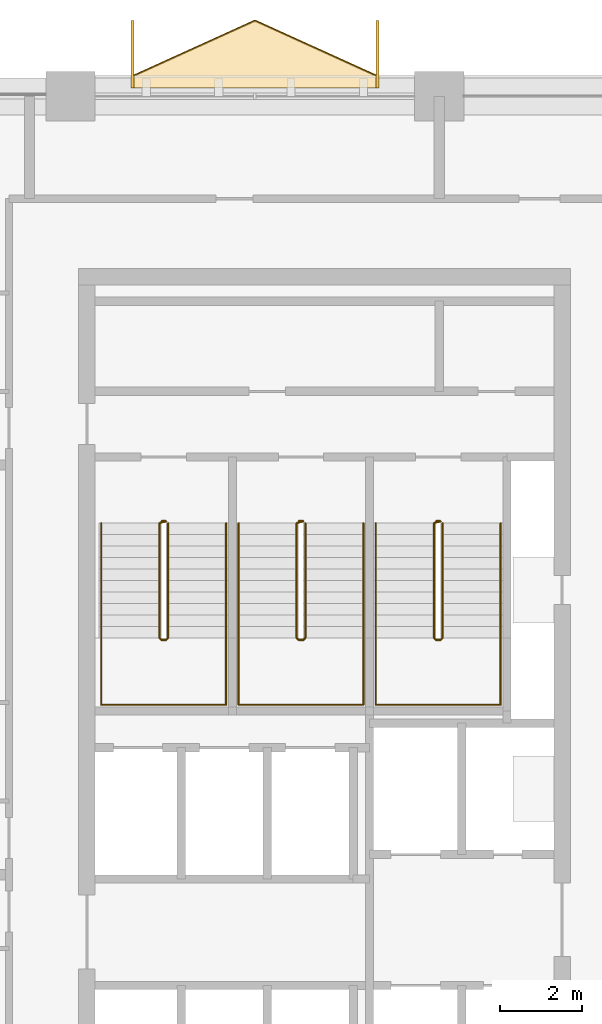
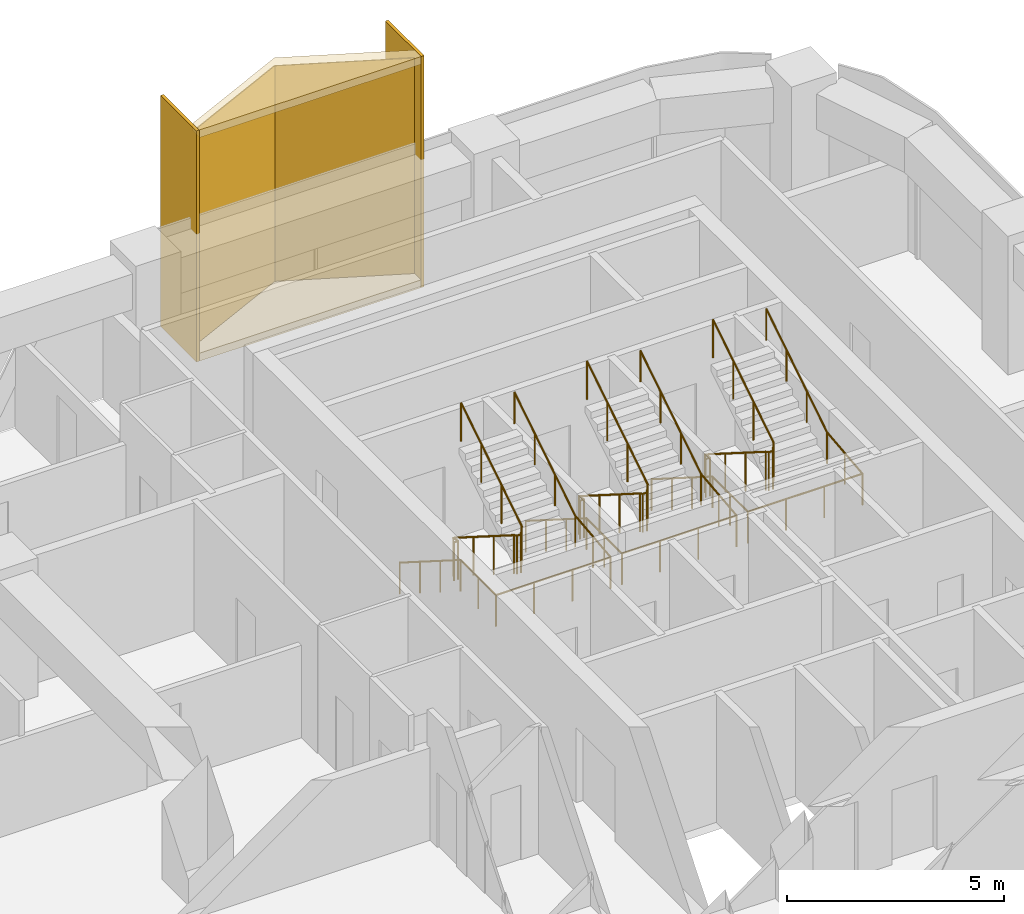
# One storey, part 10 of 10: 6 coverings, 6 railings.
"""IFC4 building model written with IfcOpenShell, lengths in metres."""

import ifcopenshell
import ifcopenshell.guid

model = None  # the IFC model being written
_history = None  # IfcOwnerHistory: only IFC2X3 demands one
_inside = {}  # id of a spatial element -> (the spatial element, [elements in it])
_under = {}  # id of a project, library or spatial element -> (it, [spatial elements below it])
_declared = {}  # id of a project -> (the project, [libraries it declares])
_typed = {}  # id of a type object -> (the type object, [elements of that type])
_made_of = {}  # id of a material, layer set ... -> (it, [elements and type objects made of it])


def new_model(schema):
    """Start an empty IFC model of exactly this schema.

    Asked for "IFC4X3", IfcOpenShell would pick the latest addendum, in which some entities
    have other attributes; the version numbers below select the first issue.
    IFC2X3 requires an IfcOwnerHistory on every rooted entity: one is made here for all.
    """
    global model, _history
    if schema == "IFC4X3":
        model = ifcopenshell.file(schema_version=(4, 3, 0, 0))
    else:
        model = ifcopenshell.file(schema=schema)
    _inside.clear()
    _under.clear()
    _declared.clear()
    _typed.clear()
    _made_of.clear()
    _history = None
    if model.schema == "IFC2X3":
        org = make("IfcOrganization", Name="unknown")
        user = make(
            "IfcPersonAndOrganization",
            ThePerson=make("IfcPerson", FamilyName="unknown"),
            TheOrganization=org,
        )
        app = make(
            "IfcApplication",
            ApplicationDeveloper=org,
            Version="unknown",
            ApplicationFullName="unknown",
            ApplicationIdentifier="unknown",
        )
        _history = make(
            "IfcOwnerHistory",
            OwningUser=user,
            OwningApplication=app,
            ChangeAction="ADDED",
            CreationDate=0,
        )
    return model


def make(cls, **values):
    """One entity of the class cls with the attributes given. An attribute that is None is left unset."""
    return model.create_entity(
        cls, **{name: value for name, value in values.items() if value is not None}
    )


def rooted(cls, **values):
    """An entity with a GlobalId (a new one), such as an element, a storey or a relation."""
    return make(cls, GlobalId=ifcopenshell.guid.new(), OwnerHistory=_history, **values)


def si_unit(unit_type, name, prefix=None):
    """IfcSIUnit, for example si_unit("LENGTHUNIT", "METRE", prefix="MILLI")."""
    return make("IfcSIUnit", UnitType=unit_type, Prefix=prefix, Name=name)


def assignment(units):
    """IfcUnitAssignment: the units of a project."""
    return None if units is None else make("IfcUnitAssignment", Units=units)


def point(xyz):
    """IfcCartesianPoint."""
    return None if xyz is None else make("IfcCartesianPoint", Coordinates=xyz)


def direction(xyz):
    """IfcDirection."""
    return None if xyz is None else make("IfcDirection", DirectionRatios=xyz)


def frame(location, z_axis=None, x_axis=None):
    """IfcAxis2Placement3D, a coordinate frame: its origin and axes. An axis left out is left unset."""
    return make(
        "IfcAxis2Placement3D",
        Location=point(location),
        Axis=direction(z_axis),
        RefDirection=direction(x_axis),
    )


def frame_2d(location, x_axis=None):
    """IfcAxis2Placement2D, a coordinate frame in the plane: its origin and x axis."""
    return make(
        "IfcAxis2Placement2D", Location=point(location), RefDirection=direction(x_axis)
    )


def origin():
    """The frame at (0, 0, 0) with its axes left unset."""
    return frame((0.0, 0.0, 0.0))


def origin_2d():
    """The frame at (0, 0) in the plane with its x axis left unset."""
    return frame_2d((0.0, 0.0))


def place(relative_to, where):
    """IfcLocalPlacement: puts the frame where relative to a parent placement (None: the world)."""
    return make(
        "IfcLocalPlacement", PlacementRelTo=relative_to, RelativePlacement=where
    )


def context(
    kind, dimensions, precision=None, world=None, true_north=None, identifier=None
):
    """IfcGeometricRepresentationContext, for example the 3D "Model" context."""
    return make(
        "IfcGeometricRepresentationContext",
        ContextIdentifier=identifier,
        ContextType=kind,
        CoordinateSpaceDimension=dimensions,
        Precision=precision,
        WorldCoordinateSystem=world,
        TrueNorth=true_north,
    )


def subcontext(parent, identifier, kind, view, scale=None):
    """IfcGeometricRepresentationSubContext, for example "Body" below "Model"."""
    return make(
        "IfcGeometricRepresentationSubContext",
        ContextIdentifier=identifier,
        ContextType=kind,
        ParentContext=parent,
        TargetScale=scale,
        TargetView=view,
    )


def project(units=None, contexts=None):
    """IfcProject with its units and contexts."""
    return rooted(
        "IfcProject",
        Name="project",
        RepresentationContexts=contexts,
        UnitsInContext=assignment(units),
    )


def spatial(cls, under=None, at=None, **own):
    """A site, building, storey or space (cls), placed at a placement, below another one or the project."""
    s = rooted(cls, ObjectPlacement=at, **own)
    if under is not None:
        _under.setdefault(under.id(), (under, []))[1].append(s)
    return s


def polyline(points):
    """IfcPolyline through the points."""
    return make("IfcPolyline", Points=[point(p) for p in points])


def profile(cls, at=None, kind="AREA", **sizes):
    """A parametric profile (cls). Its sizes go by their IFC names, for example OverallWidth=200.0."""
    return make(cls, ProfileType=kind, Position=at, **sizes)


def rectangle(**sizes):
    """IfcRectangleProfileDef."""
    return profile("IfcRectangleProfileDef", **sizes)


def circle(**sizes):
    """IfcCircleProfileDef."""
    return profile("IfcCircleProfileDef", **sizes)


def outline(outer, holes=None, kind="AREA"):
    """IfcArbitraryClosedProfileDef: a profile drawn as a closed curve; with holes, ...WithVoids."""
    if holes is None:
        return make("IfcArbitraryClosedProfileDef", ProfileType=kind, OuterCurve=outer)
    return make(
        "IfcArbitraryProfileDefWithVoids",
        ProfileType=kind,
        OuterCurve=outer,
        InnerCurves=holes,
    )


def extrude(swept, where, along, depth):
    """IfcExtrudedAreaSolid: the profile swept, set in the frame where, extruded along a direction by depth."""
    return make(
        "IfcExtrudedAreaSolid",
        SweptArea=swept,
        Position=where,
        ExtrudedDirection=direction(along),
        Depth=depth,
    )


def shape(context_of_items, identifier, shape_type, items):
    """IfcShapeRepresentation: the items that make up one representation, for example the "Body"."""
    return make(
        "IfcShapeRepresentation",
        ContextOfItems=context_of_items,
        RepresentationIdentifier=identifier,
        RepresentationType=shape_type,
        Items=items,
    )


def material(Name=None, Category=None):
    """IfcMaterial."""
    return make("IfcMaterial", Name=Name, Category=Category)


def layer(
    of_material, thickness, ventilated=None, Name=None, Category=None, Priority=None
):
    """IfcMaterialLayer: one layer of a wall or slab, of a material (None: an air gap)."""
    return make(
        "IfcMaterialLayer",
        Material=of_material,
        LayerThickness=thickness,
        IsVentilated=ventilated,
        Name=Name,
        Category=Category,
        Priority=Priority,
    )


def layer_set(layers, Name=None):
    """IfcMaterialLayerSet."""
    return make("IfcMaterialLayerSet", MaterialLayers=layers, LayerSetName=Name)


def made_of(thing, what):
    """Note that an element or type object is made of a material, layer set ...; save() writes the relation."""
    if what is not None:
        _made_of.setdefault(what.id(), (what, []))[1].append(thing)
    return thing


def type_object(cls, material=None, **own):
    """A type object (cls), such as IfcWallType, which elements share."""
    return made_of(rooted(cls, **own), material)


def element(
    cls,
    number,
    at=None,
    inside=None,
    cuts=None,
    type_object=None,
    material=None,
    context=None,
    identifier="Body",
    shape_type=None,
    held_by="IfcProductDefinitionShape",
    body=None,
    shapes=None,
    **own,
):
    """One element of the class cls, such as IfcWall. Its Tag is "e" and its number.

    at: its placement. inside: the storey or other place that contains it. cuts: it is an
    opening in that element (IfcRelVoidsElement). A single representation is given by context,
    identifier, shape_type and body (its items); several are given by shapes. held_by: the class
    of the entity that holds the representations. save() writes the other relations.
    """
    e = rooted(cls, Tag="e%d" % number, ObjectPlacement=at, **own)
    if body is not None:
        shapes = [shape(context, identifier, shape_type, body)]
    if shapes is not None:
        e.Representation = make(held_by, Representations=shapes)
    if inside is not None:
        _inside.setdefault(inside.id(), (inside, []))[1].append(e)
    if cuts is not None:
        rooted(
            "IfcRelVoidsElement", RelatingBuildingElement=cuts, RelatedOpeningElement=e
        )
    if type_object is not None:
        _typed.setdefault(type_object.id(), (type_object, []))[1].append(e)
    return made_of(e, material)


def aggregate(whole, parts):
    """IfcRelAggregates: a whole, such as a stair, and the parts it consists of."""
    return rooted("IfcRelAggregates", RelatingObject=whole, RelatedObjects=parts)


def save(model, path):
    """Write the relations noted so far, then the file.

    IfcRelAggregates (storeys below a building ...), IfcRelContainedInSpatialStructure (elements
    in a storey), IfcRelDefinesByType, IfcRelAssociatesMaterial and IfcRelDeclares: one each for
    every whole, place, type object, material and project.
    """
    for whole, parts in _under.values():
        aggregate(whole, parts)
    for where, things in _inside.values():
        rooted(
            "IfcRelContainedInSpatialStructure",
            RelatedElements=things,
            RelatingStructure=where,
        )
    for kind, things in _typed.values():
        rooted("IfcRelDefinesByType", RelatedObjects=things, RelatingType=kind)
    for what, things in _made_of.values():
        rooted("IfcRelAssociatesMaterial", RelatedObjects=things, RelatingMaterial=what)
    for by, libraries in _declared.values():
        rooted("IfcRelDeclares", RelatingContext=by, RelatedDefinitions=libraries)
    model.write(path)


model = new_model("IFC4")

# Units and contexts
model_context = context("Model", 3, precision=1e-05, world=origin(), true_north=direction((0.0, 1.0)))
body_context = subcontext(model_context, "Body", "Model", "MODEL_VIEW")
ifc_project = project(units=[si_unit("LENGTHUNIT", "METRE"), si_unit("AREAUNIT", "SQUARE_METRE"), si_unit("VOLUMEUNIT", "CUBIC_METRE"), si_unit("PLANEANGLEUNIT", "RADIAN"), si_unit("MASSUNIT", "GRAM", prefix="KILO")], contexts=[model_context])

# Site, building, storey
site_placement = place(None, origin())
site = spatial("IfcSite", under=ifc_project, at=site_placement, CompositionType="ELEMENT")
building_placement = place(site_placement, origin())
building = spatial("IfcBuilding", under=site, at=building_placement, Name="Tessera Arch", CompositionType="ELEMENT")
storey_placement = place(building_placement, frame((0.0, 0.0, 242.300048828125)))
storey = spatial("IfcBuildingStorey", under=building, at=storey_placement, Name="L58", CompositionType="ELEMENT", Elevation=242.300048828125)

# Railings
ifc_material_1 = material(Name="Painted steel balustrade", Category="steel")
railing_type_1 = type_object("IfcRailingType", Name="Stair guard 1100", PredefinedType="GUARDRAIL", material=ifc_material_1)
railing_1_placement = place(storey_placement, frame((38.219970703125, 43.6298828125, 0.0)))
element("IfcRailing", 1, at=railing_1_placement, inside=storey, type_object=railing_type_1, Name="L58 S1a stair guard 1", PredefinedType="GUARDRAIL", context=body_context, shape_type="SweptSolid", body=[
    extrude(circle(Radius=0.02392578125, at=origin_2d()), frame((-0.00390625, 0.0, 1.076171875), z_axis=(1.0, 0.0, 0.0), x_axis=(0.0, 1.0, 0.0)), (0.0, 0.0, 1.0), 0.1181640625),
    extrude(circle(Radius=0.02392578125, at=origin_2d()), frame((0.11279296875, 0.000732421875, 1.0732421875), z_axis=(-0.656319048605, -0.204099216335, 0.726353093426), x_axis=(0.296948579431, -0.954893471113, 0.0)), (0.0, 0.0, 1.0), 0.251953125),
    extrude(circle(Radius=0.02392578125, at=origin_2d()), frame((-0.050048828125, -0.04638671875, 1.251220703125), z_axis=(0.0, -0.844908973607, 0.534910110503), x_axis=(1.0, 0.0, 0.0)), (0.0, 0.0, 1.0), 3.322021484375),
    extrude(circle(Radius=0.02392578125, at=origin_2d()), frame((-0.052978515625, -2.846923828125, 3.02587890625), z_axis=(0.707106781187, -0.707106781187, 0.0), x_axis=(0.707106781187, 0.707106781187, 0.0)), (0.0, 0.0, 1.0), 0.078857421875),
    extrude(circle(Radius=0.02392578125, at=origin_2d()), frame((-0.00390625, -2.89990234375, 3.02587890625), z_axis=(1.0, 0.0, 0.0), x_axis=(0.0, 1.0, 0.0)), (0.0, 0.0, 1.0), 0.1181640625),
    extrude(circle(Radius=0.02392578125, at=origin_2d()), frame((0.109130859375, -2.90087890625, 3.022216796875), z_axis=(0.261041864531, 0.262321481514, 0.929001929653), x_axis=(-0.708833529934, 0.705375805398, 0.0)), (0.0, 0.0, 1.0), 0.19873046875),
    extrude(circle(Radius=0.02392578125, at=origin_2d()), frame((0.159912109375, -2.853271484375, 3.201171875), z_axis=(0.0, 0.844908973607, 0.534910110503), x_axis=(-1.0, 0.0, 0.0)), (0.0, 0.0, 1.0), 3.322021484375),
    extrude(circle(Radius=0.02099609375, at=origin_2d()), origin(), (0.0, 0.0, 1.0), 1.06396484375),
    extrude(circle(Radius=0.02099609375, at=origin_2d()), frame((0.110107421875, 0.0, 0.0)), (0.0, 0.0, 1.0), 1.06396484375),
    extrude(circle(Radius=0.02099609375, at=origin_2d()), frame((-0.050048828125, -0.0498046875, 0.17724609375)), (0.0, 0.0, 1.0), 1.06396484375),
    extrude(circle(Radius=0.02099609375, at=origin_2d()), frame((-0.050048828125, -0.983154296875, 0.76806640625)), (0.0, 0.0, 1.0), 1.06396484375),
    extrude(circle(Radius=0.02099609375, at=origin_2d()), frame((-0.050048828125, -1.91650390625, 1.359130859375)), (0.0, 0.0, 1.0), 1.06396484375),
    extrude(circle(Radius=0.02099609375, at=origin_2d()), frame((-0.050048828125, -2.849853515625, 1.949951171875)), (0.0, 0.0, 1.0), 1.06396484375),
    extrude(circle(Radius=0.02099609375, at=origin_2d()), frame((0.0, -2.89990234375, 1.949951171875)), (0.0, 0.0, 1.0), 1.06396484375),
    extrude(circle(Radius=0.02099609375, at=origin_2d()), frame((0.110107421875, -2.89990234375, 1.949951171875)), (0.0, 0.0, 1.0), 1.06396484375),
    extrude(circle(Radius=0.02099609375, at=origin_2d()), frame((0.159912109375, -2.849853515625, 2.127197265625)), (0.0, 0.0, 1.0), 1.06396484375),
    extrude(circle(Radius=0.02099609375, at=origin_2d()), frame((0.159912109375, -1.91650390625, 2.718017578125)), (0.0, 0.0, 1.0), 1.06396484375),
    extrude(circle(Radius=0.02099609375, at=origin_2d()), frame((0.159912109375, -0.983154296875, 3.30908203125)), (0.0, 0.0, 1.0), 1.06396484375),
    extrude(circle(Radius=0.02099609375, at=origin_2d()), frame((0.159912109375, -0.0498046875, 3.89990234375)), (0.0, 0.0, 1.0), 1.06396484375),
])
railing_2_placement = place(storey_placement, frame((41.570068359375, 43.6298828125, 0.0)))
element("IfcRailing", 2, at=railing_2_placement, inside=storey, type_object=railing_type_1, Name="L58 S1b stair guard 1", PredefinedType="GUARDRAIL", context=body_context, shape_type="SweptSolid", body=[
    extrude(circle(Radius=0.02392578125, at=origin_2d()), frame((-0.00390625, 0.0, 1.076171875), z_axis=(1.0, 0.0, 0.0), x_axis=(0.0, 1.0, 0.0)), (0.0, 0.0, 1.0), 0.117919921875),
    extrude(circle(Radius=0.02392578125, at=origin_2d()), frame((0.112548828125, 0.000732421875, 1.0732421875), z_axis=(-0.65574896516, -0.204233265485, 0.726830150696), x_axis=(0.297361876254, -0.954764847777, 0.0)), (0.0, 0.0, 1.0), 0.251953125),
    extrude(circle(Radius=0.02392578125, at=origin_2d()), frame((-0.050048828125, -0.04638671875, 1.251220703125), z_axis=(0.0, -0.844908973607, 0.534910110503), x_axis=(1.0, 0.0, 0.0)), (0.0, 0.0, 1.0), 3.322021484375),
    extrude(circle(Radius=0.02392578125, at=origin_2d()), frame((-0.052978515625, -2.846923828125, 3.02587890625), z_axis=(0.707106781187, -0.707106781187, 0.0), x_axis=(0.707106781187, 0.707106781187, 0.0)), (0.0, 0.0, 1.0), 0.078857421875),
    extrude(circle(Radius=0.02392578125, at=origin_2d()), frame((-0.00390625, -2.89990234375, 3.02587890625), z_axis=(1.0, 0.0, 0.0), x_axis=(0.0, 1.0, 0.0)), (0.0, 0.0, 1.0), 0.117919921875),
    extrude(circle(Radius=0.02392578125, at=origin_2d()), frame((0.10888671875, -2.90087890625, 3.022216796875), z_axis=(0.262233686654, 0.262233686654, 0.928691007369), x_axis=(-0.707106781187, 0.707106781187, 0.0)), (0.0, 0.0, 1.0), 0.198974609375),
    extrude(circle(Radius=0.02392578125, at=origin_2d()), frame((0.159912109375, -2.853271484375, 3.201171875), z_axis=(0.0, 0.844908973607, 0.534910110503), x_axis=(-1.0, 0.0, 0.0)), (0.0, 0.0, 1.0), 3.322021484375),
    extrude(circle(Radius=0.02099609375, at=origin_2d()), origin(), (0.0, 0.0, 1.0), 1.06396484375),
    extrude(circle(Radius=0.02099609375, at=origin_2d()), frame((0.10986328125, 0.0, 0.0)), (0.0, 0.0, 1.0), 1.06396484375),
    extrude(circle(Radius=0.02099609375, at=origin_2d()), frame((-0.050048828125, -0.0498046875, 0.17724609375)), (0.0, 0.0, 1.0), 1.06396484375),
    extrude(circle(Radius=0.02099609375, at=origin_2d()), frame((-0.050048828125, -0.983154296875, 0.76806640625)), (0.0, 0.0, 1.0), 1.06396484375),
    extrude(circle(Radius=0.02099609375, at=origin_2d()), frame((-0.050048828125, -1.91650390625, 1.359130859375)), (0.0, 0.0, 1.0), 1.06396484375),
    extrude(circle(Radius=0.02099609375, at=origin_2d()), frame((-0.050048828125, -2.849853515625, 1.949951171875)), (0.0, 0.0, 1.0), 1.06396484375),
    extrude(circle(Radius=0.02099609375, at=origin_2d()), frame((0.0, -2.89990234375, 1.949951171875)), (0.0, 0.0, 1.0), 1.06396484375),
    extrude(circle(Radius=0.02099609375, at=origin_2d()), frame((0.10986328125, -2.89990234375, 1.949951171875)), (0.0, 0.0, 1.0), 1.06396484375),
    extrude(circle(Radius=0.02099609375, at=origin_2d()), frame((0.159912109375, -2.849853515625, 2.127197265625)), (0.0, 0.0, 1.0), 1.06396484375),
    extrude(circle(Radius=0.02099609375, at=origin_2d()), frame((0.159912109375, -1.91650390625, 2.718017578125)), (0.0, 0.0, 1.0), 1.06396484375),
    extrude(circle(Radius=0.02099609375, at=origin_2d()), frame((0.159912109375, -0.983154296875, 3.30908203125)), (0.0, 0.0, 1.0), 1.06396484375),
    extrude(circle(Radius=0.02099609375, at=origin_2d()), frame((0.159912109375, -0.0498046875, 3.89990234375)), (0.0, 0.0, 1.0), 1.06396484375),
])
railing_3_placement = place(storey_placement, frame((44.919921875, 43.6298828125, 0.0)))
element("IfcRailing", 3, at=railing_3_placement, inside=storey, type_object=railing_type_1, Name="L58 S1c stair guard 1", PredefinedType="GUARDRAIL", context=body_context, shape_type="SweptSolid", body=[
    extrude(circle(Radius=0.02392578125, at=origin_2d()), frame((-0.00390625, 0.0, 1.076171875), z_axis=(1.0, 0.0, 0.0), x_axis=(0.0, 1.0, 0.0)), (0.0, 0.0, 1.0), 0.1181640625),
    extrude(circle(Radius=0.02392578125, at=origin_2d()), frame((0.11279296875, 0.000732421875, 1.0732421875), z_axis=(-0.65574896516, -0.204233265485, 0.726830150696), x_axis=(0.297361876254, -0.954764847777, 0.0)), (0.0, 0.0, 1.0), 0.251953125),
    extrude(circle(Radius=0.02392578125, at=origin_2d()), frame((-0.0498046875, -0.04638671875, 1.251220703125), z_axis=(0.0, -0.844908973607, 0.534910110503), x_axis=(1.0, 0.0, 0.0)), (0.0, 0.0, 1.0), 3.322021484375),
    extrude(circle(Radius=0.02392578125, at=origin_2d()), frame((-0.052734375, -2.846923828125, 3.02587890625), z_axis=(0.705375805398, -0.708833529934, 0.0), x_axis=(0.708833529934, 0.705375805398, 0.0)), (0.0, 0.0, 1.0), 0.07861328125),
    extrude(circle(Radius=0.02392578125, at=origin_2d()), frame((-0.00390625, -2.89990234375, 3.02587890625), z_axis=(1.0, 0.0, 0.0), x_axis=(0.0, 1.0, 0.0)), (0.0, 0.0, 1.0), 0.1181640625),
    extrude(circle(Radius=0.02392578125, at=origin_2d()), frame((0.109130859375, -2.90087890625, 3.022216796875), z_axis=(0.262233686654, 0.262233686654, 0.928691007369), x_axis=(-0.707106781187, 0.707106781187, 0.0)), (0.0, 0.0, 1.0), 0.198974609375),
    extrude(circle(Radius=0.02392578125, at=origin_2d()), frame((0.16015625, -2.853271484375, 3.201171875), z_axis=(0.0, 0.844908973607, 0.534910110503), x_axis=(-1.0, 0.0, 0.0)), (0.0, 0.0, 1.0), 3.322021484375),
    extrude(circle(Radius=0.02099609375, at=origin_2d()), origin(), (0.0, 0.0, 1.0), 1.06396484375),
    extrude(circle(Radius=0.02099609375, at=origin_2d()), frame((0.110107421875, 0.0, 0.0)), (0.0, 0.0, 1.0), 1.06396484375),
    extrude(circle(Radius=0.02099609375, at=origin_2d()), frame((-0.0498046875, -0.0498046875, 0.17724609375)), (0.0, 0.0, 1.0), 1.06396484375),
    extrude(circle(Radius=0.02099609375, at=origin_2d()), frame((-0.0498046875, -0.983154296875, 0.76806640625)), (0.0, 0.0, 1.0), 1.06396484375),
    extrude(circle(Radius=0.02099609375, at=origin_2d()), frame((-0.0498046875, -1.91650390625, 1.359130859375)), (0.0, 0.0, 1.0), 1.06396484375),
    extrude(circle(Radius=0.02099609375, at=origin_2d()), frame((-0.0498046875, -2.849853515625, 1.949951171875)), (0.0, 0.0, 1.0), 1.06396484375),
    extrude(circle(Radius=0.02099609375, at=origin_2d()), frame((0.0, -2.89990234375, 1.949951171875)), (0.0, 0.0, 1.0), 1.06396484375),
    extrude(circle(Radius=0.02099609375, at=origin_2d()), frame((0.110107421875, -2.89990234375, 1.949951171875)), (0.0, 0.0, 1.0), 1.06396484375),
    extrude(circle(Radius=0.02099609375, at=origin_2d()), frame((0.16015625, -2.849853515625, 2.127197265625)), (0.0, 0.0, 1.0), 1.06396484375),
    extrude(circle(Radius=0.02099609375, at=origin_2d()), frame((0.16015625, -1.91650390625, 2.718017578125)), (0.0, 0.0, 1.0), 1.06396484375),
    extrude(circle(Radius=0.02099609375, at=origin_2d()), frame((0.16015625, -0.983154296875, 3.30908203125)), (0.0, 0.0, 1.0), 1.06396484375),
    extrude(circle(Radius=0.02099609375, at=origin_2d()), frame((0.16015625, -0.0498046875, 3.89990234375)), (0.0, 0.0, 1.0), 1.06396484375),
])
ifc_material_2 = material(Name="Painted steel handrail", Category="steel")
railing_type_2 = type_object("IfcRailingType", Name="Stair handrail 900", PredefinedType="HANDRAIL", material=ifc_material_2)
railing_4_placement = place(storey_placement, frame((36.75, 43.580078125, 0.17724609375)))
element("IfcRailing", 4, at=railing_4_placement, inside=storey, type_object=railing_type_2, Name="L58 S1a stair handrail", PredefinedType="HANDRAIL", context=body_context, shape_type="SweptSolid", body=[
    extrude(circle(Radius=0.02392578125, at=origin_2d()), frame((0.0, 0.00341796875, 0.873779296875), z_axis=(0.0, -0.844908973607, 0.534910110503), x_axis=(1.0, 0.0, 0.0)), (0.0, 0.0, 1.0), 3.322021484375),
    extrude(circle(Radius=0.02392578125, at=origin_2d()), frame((0.0, -2.796142578125, 2.6484375), z_axis=(0.0, -1.0, 0.0), x_axis=(1.0, 0.0, 0.0)), (0.0, 0.0, 1.0), 1.63818359375),
    extrude(circle(Radius=0.02392578125, at=origin_2d()), frame((-0.00390625, -4.43017578125, 2.6484375), z_axis=(1.0, 0.0, 0.0), x_axis=(0.0, 1.0, 0.0)), (0.0, 0.0, 1.0), 3.05810546875),
    extrude(circle(Radius=0.02392578125, at=origin_2d()), frame((3.050048828125, -4.43408203125, 2.648193359375), z_axis=(0.0, 0.994140637614, 0.108094369164), x_axis=(-1.0, 0.0, 0.0)), (0.0, 0.0, 1.0), 1.647705078125),
    extrude(circle(Radius=0.02392578125, at=origin_2d()), frame((3.050048828125, -2.803466796875, 2.82373046875), z_axis=(0.0, 0.844908973607, 0.534910110503), x_axis=(-1.0, 0.0, 0.0)), (0.0, 0.0, 1.0), 3.322021484375),
    extrude(circle(Radius=0.02099609375, at=origin_2d()), origin(), (0.0, 0.0, 1.0), 0.86376953125),
    extrude(circle(Radius=0.02099609375, at=origin_2d()), frame((0.0, -0.933349609375, 0.5908203125)), (0.0, 0.0, 1.0), 0.86376953125),
    extrude(circle(Radius=0.02099609375, at=origin_2d()), frame((0.0, -1.86669921875, 1.181884765625)), (0.0, 0.0, 1.0), 0.86376953125),
    extrude(circle(Radius=0.02099609375, at=origin_2d()), frame((0.0, -2.800048828125, 1.772705078125)), (0.0, 0.0, 1.0), 0.86376953125),
    extrude(circle(Radius=0.02099609375, at=origin_2d()), frame((0.0, -3.615234375, 1.772705078125)), (0.0, 0.0, 1.0), 0.86376953125),
    extrude(circle(Radius=0.02099609375, at=origin_2d()), frame((0.0, -4.43017578125, 1.772705078125)), (0.0, 0.0, 1.0), 0.86376953125),
    extrude(circle(Radius=0.02099609375, at=origin_2d()), frame((1.0166015625, -4.43017578125, 1.772705078125)), (0.0, 0.0, 1.0), 0.86376953125),
    extrude(circle(Radius=0.02099609375, at=origin_2d()), frame((2.033447265625, -4.43017578125, 1.772705078125)), (0.0, 0.0, 1.0), 0.86376953125),
    extrude(circle(Radius=0.02099609375, at=origin_2d()), frame((3.050048828125, -4.43017578125, 1.772705078125)), (0.0, 0.0, 1.0), 0.86376953125),
    extrude(circle(Radius=0.02099609375, at=origin_2d()), frame((3.050048828125, -3.615234375, 1.861328125)), (0.0, 0.0, 1.0), 0.86376953125),
    extrude(circle(Radius=0.02099609375, at=origin_2d()), frame((3.050048828125, -2.800048828125, 1.949951171875)), (0.0, 0.0, 1.0), 0.86376953125),
    extrude(circle(Radius=0.02099609375, at=origin_2d()), frame((3.050048828125, -1.86669921875, 2.540771484375)), (0.0, 0.0, 1.0), 0.86376953125),
    extrude(circle(Radius=0.02099609375, at=origin_2d()), frame((3.050048828125, -0.933349609375, 3.1318359375)), (0.0, 0.0, 1.0), 0.86376953125),
    extrude(circle(Radius=0.02099609375, at=origin_2d()), frame((3.050048828125, 0.0, 3.72265625)), (0.0, 0.0, 1.0), 0.86376953125),
])
railing_5_placement = place(storey_placement, frame((40.10009765625, 43.580078125, 0.17724609375)))
element("IfcRailing", 5, at=railing_5_placement, inside=storey, type_object=railing_type_2, Name="L58 S1b stair handrail", PredefinedType="HANDRAIL", context=body_context, shape_type="SweptSolid", body=[
    extrude(circle(Radius=0.02392578125, at=origin_2d()), frame((0.0, 0.00341796875, 0.873779296875), z_axis=(0.0, -0.844908973607, 0.534910110503), x_axis=(1.0, 0.0, 0.0)), (0.0, 0.0, 1.0), 3.322021484375),
    extrude(circle(Radius=0.02392578125, at=origin_2d()), frame((0.0, -2.796142578125, 2.6484375), z_axis=(0.0, -1.0, 0.0), x_axis=(1.0, 0.0, 0.0)), (0.0, 0.0, 1.0), 1.63818359375),
    extrude(circle(Radius=0.02392578125, at=origin_2d()), frame((-0.00390625, -4.43017578125, 2.6484375), z_axis=(1.0, 0.0, 0.0), x_axis=(0.0, 1.0, 0.0)), (0.0, 0.0, 1.0), 3.057861328125),
    extrude(circle(Radius=0.02392578125, at=origin_2d()), frame((3.0498046875, -4.43408203125, 2.648193359375), z_axis=(0.0, 0.994140637614, 0.108094369164), x_axis=(-1.0, 0.0, 0.0)), (0.0, 0.0, 1.0), 1.647705078125),
    extrude(circle(Radius=0.02392578125, at=origin_2d()), frame((3.0498046875, -2.803466796875, 2.82373046875), z_axis=(0.0, 0.844908973607, 0.534910110503), x_axis=(-1.0, 0.0, 0.0)), (0.0, 0.0, 1.0), 3.322021484375),
    extrude(circle(Radius=0.02099609375, at=origin_2d()), origin(), (0.0, 0.0, 1.0), 0.86376953125),
    extrude(circle(Radius=0.02099609375, at=origin_2d()), frame((0.0, -0.933349609375, 0.5908203125)), (0.0, 0.0, 1.0), 0.86376953125),
    extrude(circle(Radius=0.02099609375, at=origin_2d()), frame((0.0, -1.86669921875, 1.181884765625)), (0.0, 0.0, 1.0), 0.86376953125),
    extrude(circle(Radius=0.02099609375, at=origin_2d()), frame((0.0, -2.800048828125, 1.772705078125)), (0.0, 0.0, 1.0), 0.86376953125),
    extrude(circle(Radius=0.02099609375, at=origin_2d()), frame((0.0, -3.615234375, 1.772705078125)), (0.0, 0.0, 1.0), 0.86376953125),
    extrude(circle(Radius=0.02099609375, at=origin_2d()), frame((0.0, -4.43017578125, 1.772705078125)), (0.0, 0.0, 1.0), 0.86376953125),
    extrude(circle(Radius=0.02099609375, at=origin_2d()), frame((1.0166015625, -4.43017578125, 1.772705078125)), (0.0, 0.0, 1.0), 0.86376953125),
    extrude(circle(Radius=0.02099609375, at=origin_2d()), frame((2.033203125, -4.43017578125, 1.772705078125)), (0.0, 0.0, 1.0), 0.86376953125),
    extrude(circle(Radius=0.02099609375, at=origin_2d()), frame((3.0498046875, -4.43017578125, 1.772705078125)), (0.0, 0.0, 1.0), 0.86376953125),
    extrude(circle(Radius=0.02099609375, at=origin_2d()), frame((3.0498046875, -3.615234375, 1.861328125)), (0.0, 0.0, 1.0), 0.86376953125),
    extrude(circle(Radius=0.02099609375, at=origin_2d()), frame((3.0498046875, -2.800048828125, 1.949951171875)), (0.0, 0.0, 1.0), 0.86376953125),
    extrude(circle(Radius=0.02099609375, at=origin_2d()), frame((3.0498046875, -1.86669921875, 2.540771484375)), (0.0, 0.0, 1.0), 0.86376953125),
    extrude(circle(Radius=0.02099609375, at=origin_2d()), frame((3.0498046875, -0.933349609375, 3.1318359375)), (0.0, 0.0, 1.0), 0.86376953125),
    extrude(circle(Radius=0.02099609375, at=origin_2d()), frame((3.0498046875, 0.0, 3.72265625)), (0.0, 0.0, 1.0), 0.86376953125),
])
railing_6_placement = place(storey_placement, frame((43.449951171875, 43.580078125, 0.17724609375)))
element("IfcRailing", 6, at=railing_6_placement, inside=storey, type_object=railing_type_2, Name="L58 S1c stair handrail", PredefinedType="HANDRAIL", context=body_context, shape_type="SweptSolid", body=[
    extrude(circle(Radius=0.02392578125, at=origin_2d()), frame((0.0, 0.00341796875, 0.873779296875), z_axis=(0.0, -0.844908973607, 0.534910110503), x_axis=(1.0, 0.0, 0.0)), (0.0, 0.0, 1.0), 3.322021484375),
    extrude(circle(Radius=0.02392578125, at=origin_2d()), frame((0.0, -2.796142578125, 2.6484375), z_axis=(0.0, -1.0, 0.0), x_axis=(1.0, 0.0, 0.0)), (0.0, 0.0, 1.0), 1.63818359375),
    extrude(circle(Radius=0.02392578125, at=origin_2d()), frame((-0.00390625, -4.43017578125, 2.6484375), z_axis=(1.0, 0.0, 0.0), x_axis=(0.0, 1.0, 0.0)), (0.0, 0.0, 1.0), 3.05810546875),
    extrude(circle(Radius=0.02392578125, at=origin_2d()), frame((3.050048828125, -4.43408203125, 2.648193359375), z_axis=(0.0, 0.994140637614, 0.108094369164), x_axis=(-1.0, 0.0, 0.0)), (0.0, 0.0, 1.0), 1.647705078125),
    extrude(circle(Radius=0.02392578125, at=origin_2d()), frame((3.050048828125, -2.803466796875, 2.82373046875), z_axis=(0.0, 0.844908973607, 0.534910110503), x_axis=(-1.0, 0.0, 0.0)), (0.0, 0.0, 1.0), 3.322021484375),
    extrude(circle(Radius=0.02099609375, at=origin_2d()), origin(), (0.0, 0.0, 1.0), 0.86376953125),
    extrude(circle(Radius=0.02099609375, at=origin_2d()), frame((0.0, -0.933349609375, 0.5908203125)), (0.0, 0.0, 1.0), 0.86376953125),
    extrude(circle(Radius=0.02099609375, at=origin_2d()), frame((0.0, -1.86669921875, 1.181884765625)), (0.0, 0.0, 1.0), 0.86376953125),
    extrude(circle(Radius=0.02099609375, at=origin_2d()), frame((0.0, -2.800048828125, 1.772705078125)), (0.0, 0.0, 1.0), 0.86376953125),
    extrude(circle(Radius=0.02099609375, at=origin_2d()), frame((0.0, -3.615234375, 1.772705078125)), (0.0, 0.0, 1.0), 0.86376953125),
    extrude(circle(Radius=0.02099609375, at=origin_2d()), frame((0.0, -4.43017578125, 1.772705078125)), (0.0, 0.0, 1.0), 0.86376953125),
    extrude(circle(Radius=0.02099609375, at=origin_2d()), frame((1.0166015625, -4.43017578125, 1.772705078125)), (0.0, 0.0, 1.0), 0.86376953125),
    extrude(circle(Radius=0.02099609375, at=origin_2d()), frame((2.033447265625, -4.43017578125, 1.772705078125)), (0.0, 0.0, 1.0), 0.86376953125),
    extrude(circle(Radius=0.02099609375, at=origin_2d()), frame((3.050048828125, -4.43017578125, 1.772705078125)), (0.0, 0.0, 1.0), 0.86376953125),
    extrude(circle(Radius=0.02099609375, at=origin_2d()), frame((3.050048828125, -3.615234375, 1.861328125)), (0.0, 0.0, 1.0), 0.86376953125),
    extrude(circle(Radius=0.02099609375, at=origin_2d()), frame((3.050048828125, -2.800048828125, 1.949951171875)), (0.0, 0.0, 1.0), 0.86376953125),
    extrude(circle(Radius=0.02099609375, at=origin_2d()), frame((3.050048828125, -1.86669921875, 2.540771484375)), (0.0, 0.0, 1.0), 0.86376953125),
    extrude(circle(Radius=0.02099609375, at=origin_2d()), frame((3.050048828125, -0.933349609375, 3.1318359375)), (0.0, 0.0, 1.0), 0.86376953125),
    extrude(circle(Radius=0.02099609375, at=origin_2d()), frame((3.050048828125, 0.0, 3.72265625)), (0.0, 0.0, 1.0), 0.86376953125),
])

# Coverings
ifc_material_3 = material(Name="Anodised aluminium pale metal", Category="aluminium")
ifc_layer_1 = layer(ifc_material_3, 0.080078125)
ifc_layer_set_1 = layer_set([ifc_layer_1], Name="Window box cheek")
covering_type_1 = type_object("IfcCoveringType", Name="Window box cheek", PredefinedType="CLADDING", material=ifc_layer_set_1)
covering_1_placement = place(storey_placement, origin())
element("IfcCovering", 7, at=covering_1_placement, inside=storey, type_object=covering_type_1, Name="Window box N54.18/1.0 2x2 cheek", PredefinedType="CLADDING", context=body_context, shape_type="SweptSolid", body=[
    extrude(outline(polyline([(43.530029296875, 55.85009765625), (43.449951171875, 55.85009765625), (43.449951171875, 54.199951171875), (43.530029296875, 54.199951171875), (43.530029296875, 55.85009765625)])), origin(), (0.0, 0.0, 1.0), 6.5),
])
covering_2_placement = place(storey_placement, origin())
element("IfcCovering", 8, at=covering_2_placement, inside=storey, type_object=covering_type_1, Name="Window box N54.18/1.0 2x2 cheek", PredefinedType="CLADDING", context=body_context, shape_type="SweptSolid", body=[
    extrude(outline(polyline([(37.550048828125, 55.85009765625), (37.469970703125, 55.85009765625), (37.469970703125, 54.199951171875), (37.550048828125, 54.199951171875), (37.550048828125, 55.85009765625)])), origin(), (0.0, 0.0, 1.0), 6.5),
])
ifc_material_4 = material(Name="Anodised aluminium turquoise", Category="aluminium")
ifc_layer_2 = layer(ifc_material_4, 0.219970703125)
ifc_layer_set_2 = layer_set([ifc_layer_2], Name="Window box frame plate turquoise")
covering_type_2 = type_object("IfcCoveringType", Name="Window box frame plate turquoise", PredefinedType="CLADDING", material=ifc_layer_set_2)
for number, where, name in (
    (9, (0.0, 0.0, 0.0), "Window box N54.18/1.0 2x2 floor"),
    (10, (0.0, 0.0, 6.280029296875), "Window box N54.18/1.0 2x2 roof"),
):
    element("IfcCovering", number, at=place(storey_placement, frame(where)), inside=storey, type_object=covering_type_2, Name=name, PredefinedType="CLADDING", context=body_context, shape_type="SweptSolid", body=[
        extrude(outline(polyline([(43.449951171875, 54.510009765625), (40.5, 55.85009765625), (37.550048828125, 54.510009765625), (37.550048828125, 54.199951171875), (43.449951171875, 54.199951171875), (43.449951171875, 54.510009765625)])), origin(), (0.0, 0.0, 1.0), 0.219970703125),
    ])
ifc_material_5 = material(Name="Anodised aluminium pale metal", Category="aluminium")
ifc_layer_3 = layer(ifc_material_5, 0.028076171875)
ifc_layer_set_3 = layer_set([ifc_layer_3], Name="Window box side panel")
covering_type_3 = type_object("IfcCoveringType", Name="Window box side panel", PredefinedType="CLADDING", material=ifc_layer_set_3)
for number, where, z_axis, x_axis, name in (
    (11, (41.97509765625, 55.179931640625, 0.219970703125), (0.0, 0.0, 1.0), (-0.910472144558, 0.413570397858, 0.0), "Window box N54.18/1.0 2x2 side panel"),
    (12, (39.02490234375, 55.179931640625, 0.219970703125), (0.0, 0.0, 1.0), (0.910472144558, 0.413570397858, 0.0), "Window box N54.18/1.0 2x2 side panel"),
):
    element("IfcCovering", number, at=place(storey_placement, frame(where, z_axis=z_axis, x_axis=x_axis)), inside=storey, type_object=covering_type_3, Name=name, PredefinedType="CLADDING", context=body_context, shape_type="SweptSolid", body=[
        extrude(rectangle(XDim=3.239990234375, YDim=0.028076171875, at=origin_2d()), origin(), (0.0, 0.0, 1.0), 6.06005859375),
    ])

save(model, "model.ifc")
